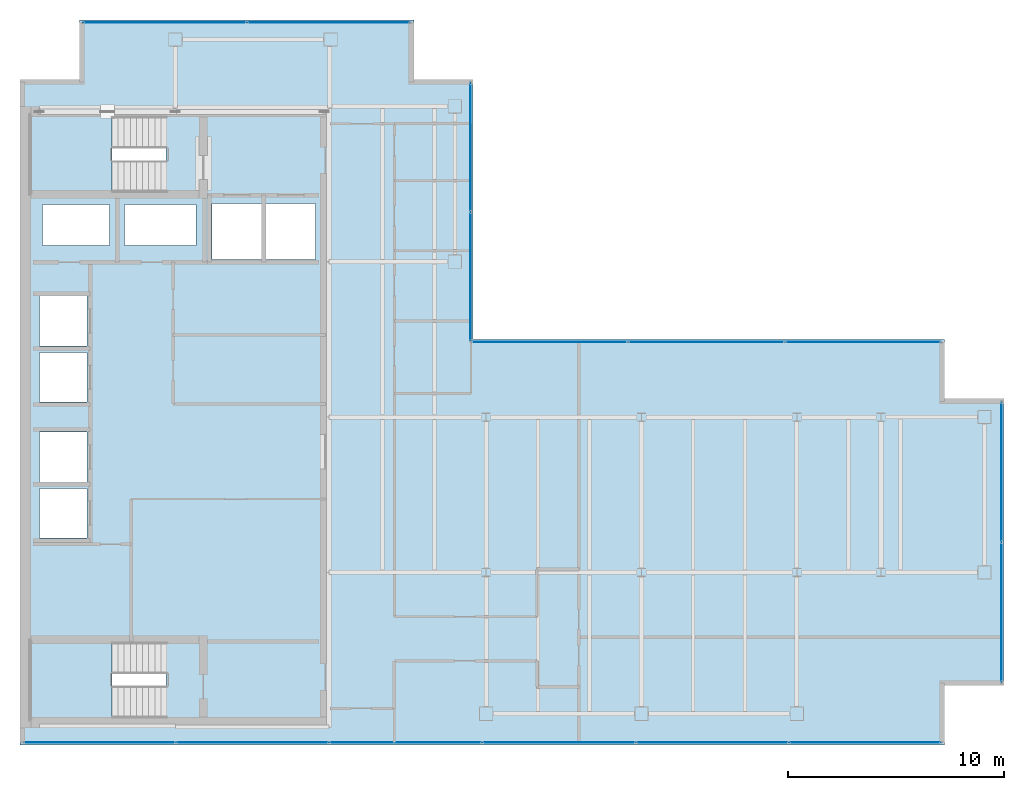
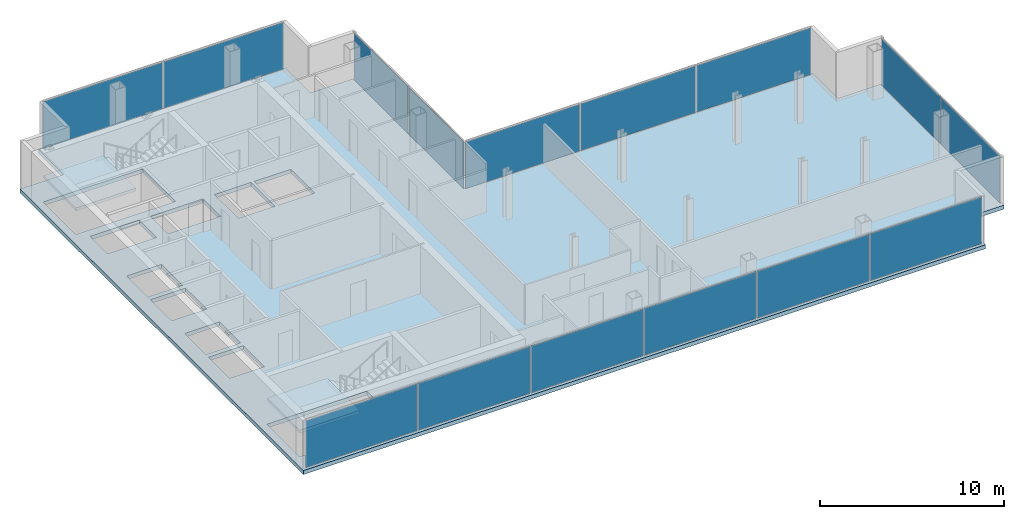
# One storey, part 20 of 24: 15 plates, 3 slabs, 10 openings, 7 elements without a shape of their own.
"""IFC4 building model written with IfcOpenShell, lengths in metres."""

from ifc_helpers import new_model, si_unit, direction, frame, origin, origin_2d, place, context, subcontext, project, spatial, polyline, rectangle, outline, extrude, material, layer, layer_set, type_object, element, aggregate, save


model = new_model("IFC4")

# Units and contexts
model_context = context("Model", 3, precision=1e-05, world=origin(), true_north=direction((0.0, 1.0)))
body_context = subcontext(model_context, "Body", "Model", "MODEL_VIEW")
ifc_project = project(units=[si_unit("LENGTHUNIT", "METRE"), si_unit("AREAUNIT", "SQUARE_METRE"), si_unit("VOLUMEUNIT", "CUBIC_METRE"), si_unit("PLANEANGLEUNIT", "RADIAN"), si_unit("MASSUNIT", "GRAM", prefix="KILO")], contexts=[model_context])

# Site, building, storey
site_placement = place(None, origin())
site = spatial("IfcSite", under=ifc_project, at=site_placement, CompositionType="ELEMENT")
building_placement = place(site_placement, origin())
building = spatial("IfcBuilding", under=site, at=building_placement, Name="Cobrela Telecom Tower", CompositionType="ELEMENT")
storey_placement = place(building_placement, frame((0.0, 0.0, 244.64990234375)))
storey = spatial("IfcBuildingStorey", under=building, at=storey_placement, Name="L63", CompositionType="ELEMENT", Elevation=244.64990234375)

# Curtain wall, plates
ifc_material_1 = material(Name="Anodized Bronze Aluminium 6063-T6", Category="aluminium")
curtain_wall_type = type_object("IfcCurtainWallType", Name="CW-SYS-OFF-HI", PredefinedType="USERDEFINED", material=ifc_material_1)
curtain_wall_1_placement = place(storey_placement, origin())
curtain_wall_1 = element("IfcCurtainWall", 1, at=curtain_wall_1_placement, inside=storey, type_object=curtain_wall_type, Name="L63 Unitised Bronze Curtain Wall 05", ObjectType="UNITISED CURTAIN WALL", PredefinedType="USERDEFINED")
ifc_material_2 = material(Name="Solar-Control Bronze Low-E Glass", Category="glass")
ifc_layer_1 = layer(ifc_material_2, 0.030029296875)
ifc_layer_set_1 = layer_set([ifc_layer_1], Name="Solar-Control Bronze Low-E Glass")
plate_type = type_object("IfcPlateType", Name="CW-SYS-OFF-HI-PNL", PredefinedType="CURTAIN_PANEL", material=ifc_layer_set_1)
plate_1_placement = place(storey_placement, frame((6.702392578125, 39.8798828125, 0.06494140625), z_axis=(0.0, 0.0, 1.0), x_axis=(1.0, 0.0, 0.0)))
plate_1 = element("IfcPlate", 2, at=plate_1_placement, type_object=plate_type, Name="CW-OFF-HI panel 1.1", PredefinedType="CURTAIN_PANEL", context=body_context, shape_type="SweptSolid", body=[
    extrude(rectangle(XDim=7.52490234375, YDim=0.030029296875, at=origin_2d()), origin(), (0.0, 0.0, 1.0), 3.110107421875),
])
plate_2_placement = place(storey_placement, frame((14.297607421875, 39.8798828125, 0.06494140625), z_axis=(0.0, 0.0, 1.0), x_axis=(1.0, 0.0, 0.0)))
plate_2 = element("IfcPlate", 3, at=plate_2_placement, type_object=plate_type, Name="CW-OFF-HI panel 2.1", PredefinedType="CURTAIN_PANEL", context=body_context, shape_type="SweptSolid", body=[
    extrude(rectangle(XDim=7.52490234375, YDim=0.030029296875, at=origin_2d()), origin(), (0.0, 0.0, 1.0), 3.110107421875),
])
aggregate(curtain_wall_1, [plate_1, plate_2])

curtain_wall_2_placement = place(storey_placement, origin())
curtain_wall_2 = element("IfcCurtainWall", 4, at=curtain_wall_2_placement, inside=storey, type_object=curtain_wall_type, Name="L63 Unitised Bronze Curtain Wall 08", ObjectType="UNITISED CURTAIN WALL", PredefinedType="USERDEFINED")
plate_3_placement = place(storey_placement, frame((20.8798828125, 34.10009765625, 0.06494140625), z_axis=(0.0, 0.0, 1.0), x_axis=(0.0, -1.0, 0.0)))
plate_3 = element("IfcPlate", 5, at=plate_3_placement, type_object=plate_type, Name="CW-OFF-HI panel 1.1", PredefinedType="CURTAIN_PANEL", context=body_context, shape_type="SweptSolid", body=[
    extrude(rectangle(XDim=5.919921875, YDim=0.030029296875, at=origin_2d()), origin(), (0.0, 0.0, 1.0), 3.110107421875),
])
plate_4_placement = place(storey_placement, frame((20.8798828125, 28.110107421875, 0.06494140625), z_axis=(0.0, 0.0, 1.0), x_axis=(0.0, -1.0, 0.0)))
plate_4 = element("IfcPlate", 6, at=plate_4_placement, type_object=plate_type, Name="CW-OFF-HI panel 2.1", PredefinedType="CURTAIN_PANEL", context=body_context, shape_type="SweptSolid", body=[
    extrude(rectangle(XDim=5.919921875, YDim=0.030029296875, at=origin_2d()), origin(), (0.0, 0.0, 1.0), 3.110107421875),
])
aggregate(curtain_wall_2, [plate_3, plate_4])

curtain_wall_3_placement = place(storey_placement, origin())
curtain_wall_3 = element("IfcCurtainWall", 7, at=curtain_wall_3_placement, inside=storey, type_object=curtain_wall_type, Name="L63 Unitised Bronze Curtain Wall 09", ObjectType="UNITISED CURTAIN WALL", PredefinedType="USERDEFINED")
plate_5_placement = place(storey_placement, frame((24.5390625, 25.080078125, 0.06494140625), z_axis=(0.0, 0.0, 1.0), x_axis=(1.0, 0.0, 0.0)))
plate_5 = element("IfcPlate", 8, at=plate_5_placement, type_object=plate_type, Name="CW-OFF-HI panel 1.1", PredefinedType="CURTAIN_PANEL", context=body_context, shape_type="SweptSolid", body=[
    extrude(rectangle(XDim=7.17822265625, YDim=0.030029296875, at=origin_2d()), origin(), (0.0, 0.0, 1.0), 3.110107421875),
])
plate_6_placement = place(storey_placement, frame((31.804931640625, 25.080078125, 0.06494140625), z_axis=(0.0, 0.0, 1.0), x_axis=(1.0, 0.0, 0.0)))
plate_6 = element("IfcPlate", 9, at=plate_6_placement, type_object=plate_type, Name="CW-OFF-HI panel 2.1", PredefinedType="CURTAIN_PANEL", context=body_context, shape_type="SweptSolid", body=[
    extrude(rectangle(XDim=7.21337890625, YDim=0.030029296875, at=origin_2d()), origin(), (0.0, 0.0, 1.0), 3.110107421875),
])
plate_7_placement = place(storey_placement, frame((39.07080078125, 25.080078125, 0.06494140625), z_axis=(0.0, 0.0, 1.0), x_axis=(1.0, 0.0, 0.0)))
plate_7 = element("IfcPlate", 10, at=plate_7_placement, type_object=plate_type, Name="CW-OFF-HI panel 3.1", PredefinedType="CURTAIN_PANEL", context=body_context, shape_type="SweptSolid", body=[
    extrude(rectangle(XDim=7.17822265625, YDim=0.030029296875, at=origin_2d()), origin(), (0.0, 0.0, 1.0), 3.110107421875),
])
aggregate(curtain_wall_3, [plate_5, plate_6, plate_7])

curtain_wall_4_placement = place(storey_placement, origin())
curtain_wall_4 = element("IfcCurtainWall", 11, at=curtain_wall_4_placement, inside=storey, type_object=curtain_wall_type, Name="L63 Unitised Bronze Curtain Wall 12", ObjectType="UNITISED CURTAIN WALL", PredefinedType="USERDEFINED")
plate_8_placement = place(storey_placement, frame((45.47998046875, 19.047607421875, 0.06494140625), z_axis=(0.0, 0.0, 1.0), x_axis=(0.0, -1.0, 0.0)))
plate_8 = element("IfcPlate", 12, at=plate_8_placement, type_object=plate_type, Name="CW-OFF-HI panel 1.1", PredefinedType="CURTAIN_PANEL", context=body_context, shape_type="SweptSolid", body=[
    extrude(rectangle(XDim=6.425048828125, YDim=0.030029296875, at=origin_2d()), origin(), (0.0, 0.0, 1.0), 3.110107421875),
])
plate_9_placement = place(storey_placement, frame((45.47998046875, 12.552490234375, 0.06494140625), z_axis=(0.0, 0.0, 1.0), x_axis=(0.0, -1.0, 0.0)))
plate_9 = element("IfcPlate", 13, at=plate_9_placement, type_object=plate_type, Name="CW-OFF-HI panel 2.1", PredefinedType="CURTAIN_PANEL", context=body_context, shape_type="SweptSolid", body=[
    extrude(rectangle(XDim=6.425048828125, YDim=0.030029296875, at=origin_2d()), origin(), (0.0, 0.0, 1.0), 3.110107421875),
])
aggregate(curtain_wall_4, [plate_8, plate_9])

curtain_wall_5_placement = place(storey_placement, origin())
curtain_wall_5 = element("IfcCurtainWall", 14, at=curtain_wall_5_placement, inside=storey, type_object=curtain_wall_type, Name="L63 Unitised Bronze Curtain Wall 15", ObjectType="UNITISED CURTAIN WALL", PredefinedType="USERDEFINED")
plate_10_placement = place(storey_placement, frame((39.16162109375, 6.52001953125, 0.06494140625), z_axis=(0.0, 0.0, 1.0), x_axis=(-1.0, 0.0, 0.0)))
plate_10 = element("IfcPlate", 15, at=plate_10_placement, type_object=plate_type, Name="CW-OFF-HI panel 1.1", PredefinedType="CURTAIN_PANEL", context=body_context, shape_type="SweptSolid", body=[
    extrude(rectangle(XDim=6.99658203125, YDim=0.030029296875, at=origin_2d()), origin(), (0.0, 0.0, 1.0), 3.110107421875),
])
plate_11_placement = place(storey_placement, frame((32.077392578125, 6.52001953125, 0.06494140625), z_axis=(0.0, 0.0, 1.0), x_axis=(-1.0, 0.0, 0.0)))
plate_11 = element("IfcPlate", 16, at=plate_11_placement, type_object=plate_type, Name="CW-OFF-HI panel 2.1", PredefinedType="CURTAIN_PANEL", context=body_context, shape_type="SweptSolid", body=[
    extrude(rectangle(XDim=7.03173828125, YDim=0.030029296875, at=origin_2d()), origin(), (0.0, 0.0, 1.0), 3.110107421875),
])
plate_12_placement = place(storey_placement, frame((24.975830078125, 6.52001953125, 0.06494140625), z_axis=(0.0, 0.0, 1.0), x_axis=(-1.0, 0.0, 0.0)))
plate_12 = element("IfcPlate", 17, at=plate_12_placement, type_object=plate_type, Name="CW-OFF-HI panel 3.1", PredefinedType="CURTAIN_PANEL", context=body_context, shape_type="SweptSolid", body=[
    extrude(rectangle(XDim=7.03173828125, YDim=0.030029296875, at=origin_2d()), origin(), (0.0, 0.0, 1.0), 3.110107421875),
])
plate_13_placement = place(storey_placement, frame((17.874267578125, 6.52001953125, 0.06494140625), z_axis=(0.0, 0.0, 1.0), x_axis=(-1.0, 0.0, 0.0)))
plate_13 = element("IfcPlate", 18, at=plate_13_placement, type_object=plate_type, Name="CW-OFF-HI panel 4.1", PredefinedType="CURTAIN_PANEL", context=body_context, shape_type="SweptSolid", body=[
    extrude(rectangle(XDim=7.03173828125, YDim=0.030029296875, at=origin_2d()), origin(), (0.0, 0.0, 1.0), 3.110107421875),
])
plate_14_placement = place(storey_placement, frame((10.7724609375, 6.52001953125, 0.06494140625), z_axis=(0.0, 0.0, 1.0), x_axis=(-1.0, 0.0, 0.0)))
plate_14 = element("IfcPlate", 19, at=plate_14_placement, type_object=plate_type, Name="CW-OFF-HI panel 5.1", PredefinedType="CURTAIN_PANEL", context=body_context, shape_type="SweptSolid", body=[
    extrude(rectangle(XDim=7.03173828125, YDim=0.030029296875, at=origin_2d()), origin(), (0.0, 0.0, 1.0), 3.110107421875),
])
plate_15_placement = place(storey_placement, frame((3.688232421875, 6.52001953125, 0.06494140625), z_axis=(0.0, 0.0, 1.0), x_axis=(-1.0, 0.0, 0.0)))
plate_15 = element("IfcPlate", 20, at=plate_15_placement, type_object=plate_type, Name="CW-OFF-HI panel 6.1", PredefinedType="CURTAIN_PANEL", context=body_context, shape_type="SweptSolid", body=[
    extrude(rectangle(XDim=6.99658203125, YDim=0.030029296875, at=origin_2d()), origin(), (0.0, 0.0, 1.0), 3.110107421875),
])
aggregate(curtain_wall_5, [plate_10, plate_11, plate_12, plate_13, plate_14, plate_15])

# Slab, openings
ifc_material_3 = material(Name="Concrete C40/50", Category="concrete")
ifc_layer_2 = layer(ifc_material_3, 0.260009765625)
ifc_layer_set_2 = layer_set([ifc_layer_2], Name="Concrete C40/50")
slab_type_1 = type_object("IfcSlabType", Name="SLAB-FLR-260", PredefinedType="FLOOR", material=ifc_layer_set_2)
slab_1_placement = place(storey_placement, frame((0.0, 0.0, -0.260009765625)))
slab_1 = element("IfcSlab", 21, at=slab_1_placement, inside=storey, type_object=slab_type_1, Name="L63 Structural Floor Slab", PredefinedType="FLOOR", context=body_context, shape_type="SweptSolid", body=[
    extrude(outline(polyline([(0.0, 6.39990234375), (42.85009765625, 6.39990234375), (42.85009765625, 9.14990234375), (45.60009765625, 9.14990234375), (45.60009765625, 22.449951171875), (42.85009765625, 22.449951171875), (42.85009765625, 25.199951171875), (21.0, 25.199951171875), (21.0, 37.25), (18.25, 37.25), (18.25, 40.0), (2.75, 40.0), (2.75, 37.25), (0.0, 37.25), (0.0, 6.39990234375)])), origin(), (0.0, 0.0, 1.0), 0.260009765625),
])
opening_1_placement = place(slab_1_placement, frame((0.0, 0.0, -0.02001953125)))
element("IfcOpeningElement", 22, at=opening_1_placement, cuts=slab_1, Name="Slab Shaft Opening SLAB-L63-MAIN.1", PredefinedType="OPENING", context=body_context, shape_type="SweptSolid", body=[
    extrude(outline(polyline([(8.89990234375, 28.89990234375), (11.199951171875, 28.89990234375), (11.199951171875, 31.5), (8.89990234375, 31.5), (8.89990234375, 28.89990234375)])), origin(), (0.0, 0.0, 1.0), 0.300048828125),
])
opening_2_placement = place(slab_1_placement, frame((0.0, 0.0, -0.02001953125)))
element("IfcOpeningElement", 23, at=opening_2_placement, cuts=slab_1, Name="Slab Shaft Opening SLAB-L63-MAIN.2", PredefinedType="OPENING", context=body_context, shape_type="SweptSolid", body=[
    extrude(outline(polyline([(11.39990234375, 28.89990234375), (13.699951171875, 28.89990234375), (13.699951171875, 31.5), (11.39990234375, 31.5), (11.39990234375, 28.89990234375)])), origin(), (0.0, 0.0, 1.0), 0.300048828125),
])
opening_3_placement = place(slab_1_placement, frame((0.0, 0.0, -0.02001953125)))
element("IfcOpeningElement", 24, at=opening_3_placement, cuts=slab_1, Name="Slab Shaft Opening SLAB-L63-MAIN.3", PredefinedType="OPENING", context=body_context, shape_type="SweptSolid", body=[
    extrude(outline(polyline([(0.89990234375, 16.0), (3.10009765625, 16.0), (3.10009765625, 18.300048828125), (0.89990234375, 18.300048828125), (0.89990234375, 16.0)])), origin(), (0.0, 0.0, 1.0), 0.300048828125),
])
opening_4_placement = place(slab_1_placement, frame((0.0, 0.0, -0.02001953125)))
element("IfcOpeningElement", 25, at=opening_4_placement, cuts=slab_1, Name="Slab Shaft Opening SLAB-L63-MAIN.4", PredefinedType="OPENING", context=body_context, shape_type="SweptSolid", body=[
    extrude(outline(polyline([(0.89990234375, 18.60009765625), (3.10009765625, 18.60009765625), (3.10009765625, 20.89990234375), (0.89990234375, 20.89990234375), (0.89990234375, 18.60009765625)])), origin(), (0.0, 0.0, 1.0), 0.300048828125),
])
opening_5_placement = place(slab_1_placement, frame((0.0, 0.0, -0.02001953125)))
element("IfcOpeningElement", 26, at=opening_5_placement, cuts=slab_1, Name="Slab Shaft Opening SLAB-L63-MAIN.5", PredefinedType="OPENING", context=body_context, shape_type="SweptSolid", body=[
    extrude(outline(polyline([(0.89990234375, 22.300048828125), (3.10009765625, 22.300048828125), (3.10009765625, 24.60009765625), (0.89990234375, 24.60009765625), (0.89990234375, 22.300048828125)])), origin(), (0.0, 0.0, 1.0), 0.300048828125),
])
opening_6_placement = place(slab_1_placement, frame((0.0, 0.0, -0.02001953125)))
element("IfcOpeningElement", 27, at=opening_6_placement, cuts=slab_1, Name="Slab Shaft Opening SLAB-L63-MAIN.6", PredefinedType="OPENING", context=body_context, shape_type="SweptSolid", body=[
    extrude(outline(polyline([(0.89990234375, 24.89990234375), (3.10009765625, 24.89990234375), (3.10009765625, 27.199951171875), (0.89990234375, 27.199951171875), (0.89990234375, 24.89990234375)])), origin(), (0.0, 0.0, 1.0), 0.300048828125),
])
opening_7_placement = place(slab_1_placement, frame((0.0, 0.0, -0.02001953125)))
element("IfcOpeningElement", 28, at=opening_7_placement, cuts=slab_1, Name="Slab Shaft Opening SLAB-L63-MAIN.7", PredefinedType="OPENING", context=body_context, shape_type="SweptSolid", body=[
    extrude(outline(polyline([(1.050048828125, 29.550048828125), (4.14990234375, 29.550048828125), (4.14990234375, 31.449951171875), (1.050048828125, 31.449951171875), (1.050048828125, 29.550048828125)])), origin(), (0.0, 0.0, 1.0), 0.300048828125),
])
opening_8_placement = place(slab_1_placement, frame((0.0, 0.0, -0.02001953125)))
element("IfcOpeningElement", 29, at=opening_8_placement, cuts=slab_1, Name="Slab Shaft Opening SLAB-L63-MAIN.8", PredefinedType="OPENING", context=body_context, shape_type="SweptSolid", body=[
    extrude(outline(polyline([(4.85009765625, 29.550048828125), (8.14990234375, 29.550048828125), (8.14990234375, 31.449951171875), (4.85009765625, 31.449951171875), (4.85009765625, 29.550048828125)])), origin(), (0.0, 0.0, 1.0), 0.300048828125),
])
opening_9_placement = place(slab_1_placement, frame((0.0, 0.0, -0.02001953125)))
element("IfcOpeningElement", 30, at=opening_9_placement, cuts=slab_1, Name="Slab Shaft Opening SLAB-L63-MAIN.9", PredefinedType="OPENING", context=body_context, shape_type="SweptSolid", body=[
    extrude(outline(polyline([(6.7548828125, 35.550048828125), (0.47998046875, 35.550048828125), (0.47998046875, 32.0), (6.7548828125, 32.0), (6.7548828125, 35.550048828125)])), origin(), (0.0, 0.0, 1.0), 0.300048828125),
])
opening_10_placement = place(slab_1_placement, frame((0.0, 0.0, -0.02001953125)))
element("IfcOpeningElement", 31, at=opening_10_placement, cuts=slab_1, Name="Slab Shaft Opening SLAB-L63-MAIN.10", PredefinedType="OPENING", context=body_context, shape_type="SweptSolid", body=[
    extrude(outline(polyline([(6.7548828125, 11.199951171875), (0.47998046875, 11.199951171875), (0.47998046875, 7.64990234375), (6.7548828125, 7.64990234375), (6.7548828125, 11.199951171875)])), origin(), (0.0, 0.0, 1.0), 0.300048828125),
])

# Stair, slab
stair_type = type_object("IfcStairType", Name="STAIR-CORE", PredefinedType="HALF_TURN_STAIR", material=ifc_material_3)
stair_1_placement = place(storey_placement, origin())
stair_1 = element("IfcStair", 32, at=stair_1_placement, inside=storey, type_object=stair_type, Name="L63 Smokeproof Exit Stair ST1", PredefinedType="HALF_TURN_STAIR")
ifc_layer_3 = layer(ifc_material_3, 0.199951171875)
ifc_layer_set_3 = layer_set([ifc_layer_3], Name="Concrete C40/50")
slab_type_2 = type_object("IfcSlabType", Name="SLAB-LAND-200", PredefinedType="LANDING", material=ifc_layer_set_3)
slab_2_placement = place(storey_placement, frame((0.0, 0.0, 1.550048828125)))
slab_2 = element("IfcSlab", 33, at=slab_2_placement, type_object=slab_type_2, Name="ST1 landing 1", PredefinedType="LANDING", context=body_context, shape_type="SweptSolid", body=[
    extrude(outline(polyline([(4.2548828125, 35.550048828125), (0.47998046875, 35.550048828125), (0.47998046875, 32.0), (4.2548828125, 32.0), (4.2548828125, 35.550048828125)])), origin(), (0.0, 0.0, 1.0), 0.199951171875),
])
aggregate(stair_1, [slab_2])

stair_2_placement = place(storey_placement, origin())
stair_2 = element("IfcStair", 34, at=stair_2_placement, inside=storey, type_object=stair_type, Name="L63 Smokeproof Exit Stair ST2", PredefinedType="HALF_TURN_STAIR")
slab_3_placement = place(storey_placement, frame((0.0, 0.0, 1.550048828125)))
slab_3 = element("IfcSlab", 35, at=slab_3_placement, type_object=slab_type_2, Name="ST2 landing 1", PredefinedType="LANDING", context=body_context, shape_type="SweptSolid", body=[
    extrude(outline(polyline([(4.2548828125, 11.199951171875), (0.47998046875, 11.199951171875), (0.47998046875, 7.64990234375), (4.2548828125, 7.64990234375), (4.2548828125, 11.199951171875)])), origin(), (0.0, 0.0, 1.0), 0.199951171875),
])
aggregate(stair_2, [slab_3])

save(model, "model.ifc")
